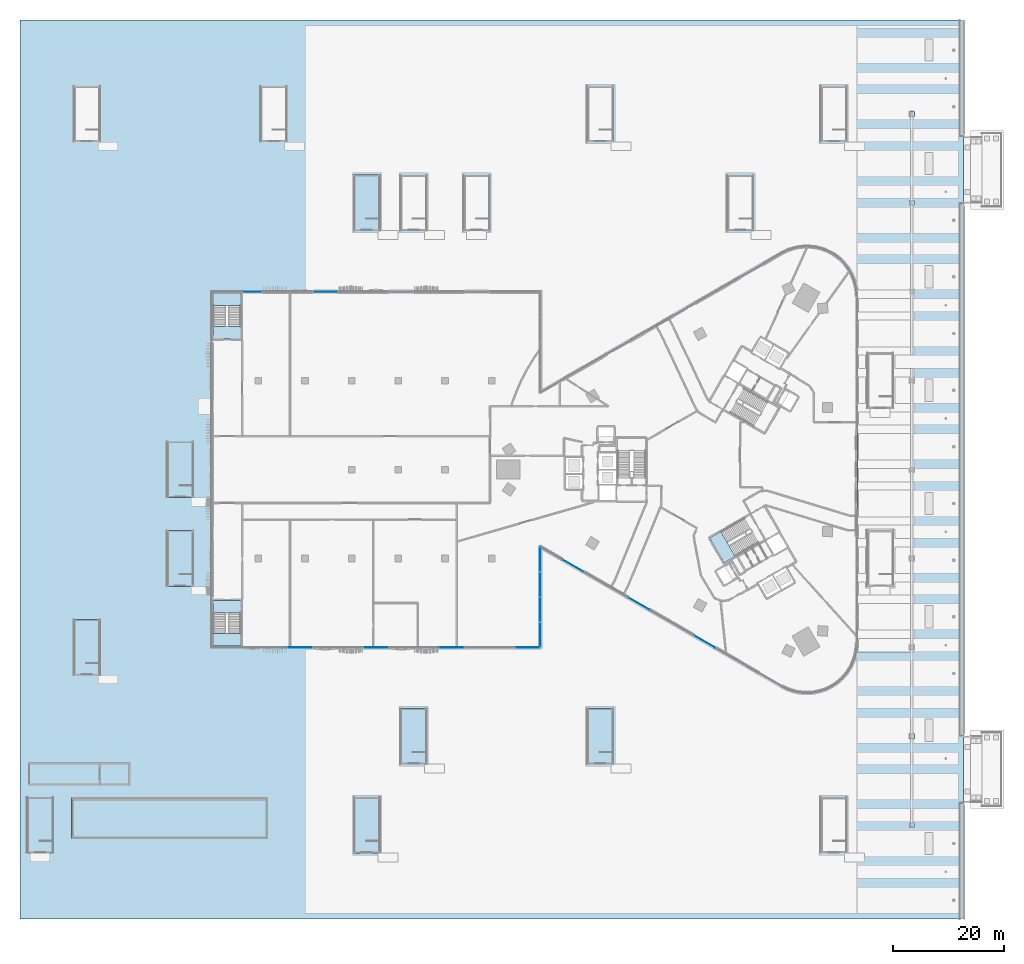
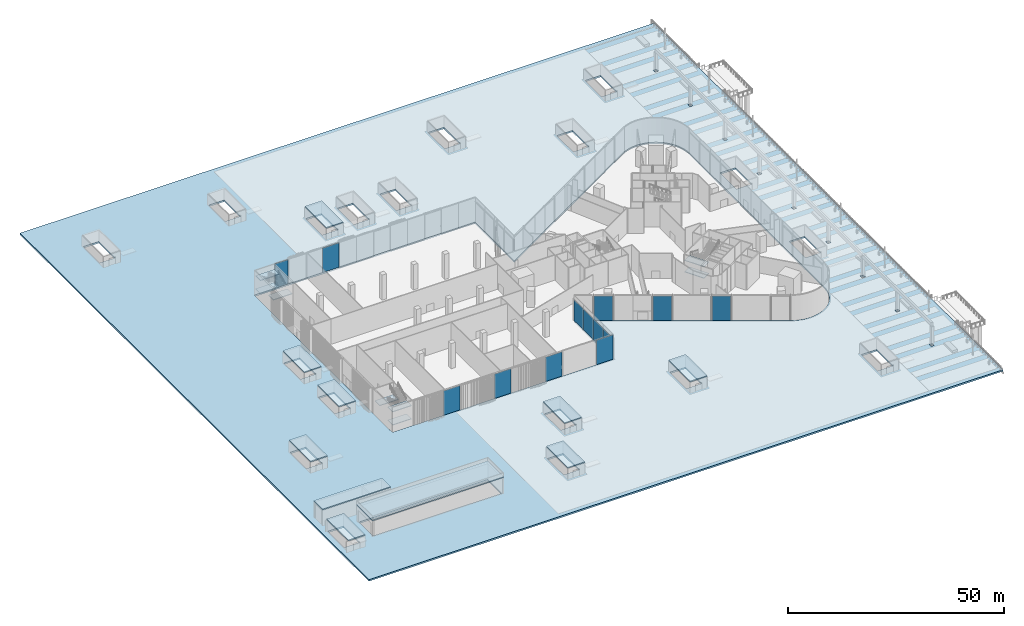
# One storey, part 9 of 41: 19 slabs, 13 plates, 6 elements without a shape of their own.
"""IFC4 building model written with IfcOpenShell, lengths in metres."""

import ifcopenshell
import ifcopenshell.guid

model = None  # the IFC model being written
_history = None  # IfcOwnerHistory: only IFC2X3 demands one
_inside = {}  # id of a spatial element -> (the spatial element, [elements in it])
_under = {}  # id of a project, library or spatial element -> (it, [spatial elements below it])
_declared = {}  # id of a project -> (the project, [libraries it declares])
_typed = {}  # id of a type object -> (the type object, [elements of that type])
_made_of = {}  # id of a material, layer set ... -> (it, [elements and type objects made of it])


def new_model(schema):
    """Start an empty IFC model of exactly this schema.

    Asked for "IFC4X3", IfcOpenShell would pick the latest addendum, in which some entities
    have other attributes; the version numbers below select the first issue.
    IFC2X3 requires an IfcOwnerHistory on every rooted entity: one is made here for all.
    """
    global model, _history
    if schema == "IFC4X3":
        model = ifcopenshell.file(schema_version=(4, 3, 0, 0))
    else:
        model = ifcopenshell.file(schema=schema)
    _inside.clear()
    _under.clear()
    _declared.clear()
    _typed.clear()
    _made_of.clear()
    _history = None
    if model.schema == "IFC2X3":
        org = make("IfcOrganization", Name="unknown")
        user = make(
            "IfcPersonAndOrganization",
            ThePerson=make("IfcPerson", FamilyName="unknown"),
            TheOrganization=org,
        )
        app = make(
            "IfcApplication",
            ApplicationDeveloper=org,
            Version="unknown",
            ApplicationFullName="unknown",
            ApplicationIdentifier="unknown",
        )
        _history = make(
            "IfcOwnerHistory",
            OwningUser=user,
            OwningApplication=app,
            ChangeAction="ADDED",
            CreationDate=0,
        )
    return model


def make(cls, **values):
    """One entity of the class cls with the attributes given. An attribute that is None is left unset."""
    return model.create_entity(
        cls, **{name: value for name, value in values.items() if value is not None}
    )


def rooted(cls, **values):
    """An entity with a GlobalId (a new one), such as an element, a storey or a relation."""
    return make(cls, GlobalId=ifcopenshell.guid.new(), OwnerHistory=_history, **values)


def si_unit(unit_type, name, prefix=None):
    """IfcSIUnit, for example si_unit("LENGTHUNIT", "METRE", prefix="MILLI")."""
    return make("IfcSIUnit", UnitType=unit_type, Prefix=prefix, Name=name)


def assignment(units):
    """IfcUnitAssignment: the units of a project."""
    return None if units is None else make("IfcUnitAssignment", Units=units)


def point(xyz):
    """IfcCartesianPoint."""
    return None if xyz is None else make("IfcCartesianPoint", Coordinates=xyz)


def direction(xyz):
    """IfcDirection."""
    return None if xyz is None else make("IfcDirection", DirectionRatios=xyz)


def frame(location, z_axis=None, x_axis=None):
    """IfcAxis2Placement3D, a coordinate frame: its origin and axes. An axis left out is left unset."""
    return make(
        "IfcAxis2Placement3D",
        Location=point(location),
        Axis=direction(z_axis),
        RefDirection=direction(x_axis),
    )


def frame_2d(location, x_axis=None):
    """IfcAxis2Placement2D, a coordinate frame in the plane: its origin and x axis."""
    return make(
        "IfcAxis2Placement2D", Location=point(location), RefDirection=direction(x_axis)
    )


def origin():
    """The frame at (0, 0, 0) with its axes left unset."""
    return frame((0.0, 0.0, 0.0))


def origin_2d():
    """The frame at (0, 0) in the plane with its x axis left unset."""
    return frame_2d((0.0, 0.0))


def place(relative_to, where):
    """IfcLocalPlacement: puts the frame where relative to a parent placement (None: the world)."""
    return make(
        "IfcLocalPlacement", PlacementRelTo=relative_to, RelativePlacement=where
    )


def context(
    kind, dimensions, precision=None, world=None, true_north=None, identifier=None
):
    """IfcGeometricRepresentationContext, for example the 3D "Model" context."""
    return make(
        "IfcGeometricRepresentationContext",
        ContextIdentifier=identifier,
        ContextType=kind,
        CoordinateSpaceDimension=dimensions,
        Precision=precision,
        WorldCoordinateSystem=world,
        TrueNorth=true_north,
    )


def subcontext(parent, identifier, kind, view, scale=None):
    """IfcGeometricRepresentationSubContext, for example "Body" below "Model"."""
    return make(
        "IfcGeometricRepresentationSubContext",
        ContextIdentifier=identifier,
        ContextType=kind,
        ParentContext=parent,
        TargetScale=scale,
        TargetView=view,
    )


def project(units=None, contexts=None):
    """IfcProject with its units and contexts."""
    return rooted(
        "IfcProject",
        Name="project",
        RepresentationContexts=contexts,
        UnitsInContext=assignment(units),
    )


def spatial(cls, under=None, at=None, **own):
    """A site, building, storey or space (cls), placed at a placement, below another one or the project."""
    s = rooted(cls, ObjectPlacement=at, **own)
    if under is not None:
        _under.setdefault(under.id(), (under, []))[1].append(s)
    return s


def polyline(points):
    """IfcPolyline through the points."""
    return make("IfcPolyline", Points=[point(p) for p in points])


def profile(cls, at=None, kind="AREA", **sizes):
    """A parametric profile (cls). Its sizes go by their IFC names, for example OverallWidth=200.0."""
    return make(cls, ProfileType=kind, Position=at, **sizes)


def rectangle(**sizes):
    """IfcRectangleProfileDef."""
    return profile("IfcRectangleProfileDef", **sizes)


def outline(outer, holes=None, kind="AREA"):
    """IfcArbitraryClosedProfileDef: a profile drawn as a closed curve; with holes, ...WithVoids."""
    if holes is None:
        return make("IfcArbitraryClosedProfileDef", ProfileType=kind, OuterCurve=outer)
    return make(
        "IfcArbitraryProfileDefWithVoids",
        ProfileType=kind,
        OuterCurve=outer,
        InnerCurves=holes,
    )


def extrude(swept, where, along, depth):
    """IfcExtrudedAreaSolid: the profile swept, set in the frame where, extruded along a direction by depth."""
    return make(
        "IfcExtrudedAreaSolid",
        SweptArea=swept,
        Position=where,
        ExtrudedDirection=direction(along),
        Depth=depth,
    )


def shape(context_of_items, identifier, shape_type, items):
    """IfcShapeRepresentation: the items that make up one representation, for example the "Body"."""
    return make(
        "IfcShapeRepresentation",
        ContextOfItems=context_of_items,
        RepresentationIdentifier=identifier,
        RepresentationType=shape_type,
        Items=items,
    )


def material(Name=None, Category=None):
    """IfcMaterial."""
    return make("IfcMaterial", Name=Name, Category=Category)


def layer(
    of_material, thickness, ventilated=None, Name=None, Category=None, Priority=None
):
    """IfcMaterialLayer: one layer of a wall or slab, of a material (None: an air gap)."""
    return make(
        "IfcMaterialLayer",
        Material=of_material,
        LayerThickness=thickness,
        IsVentilated=ventilated,
        Name=Name,
        Category=Category,
        Priority=Priority,
    )


def layer_set(layers, Name=None):
    """IfcMaterialLayerSet."""
    return make("IfcMaterialLayerSet", MaterialLayers=layers, LayerSetName=Name)


def made_of(thing, what):
    """Note that an element or type object is made of a material, layer set ...; save() writes the relation."""
    if what is not None:
        _made_of.setdefault(what.id(), (what, []))[1].append(thing)
    return thing


def type_object(cls, material=None, **own):
    """A type object (cls), such as IfcWallType, which elements share."""
    return made_of(rooted(cls, **own), material)


def element(
    cls,
    number,
    at=None,
    inside=None,
    cuts=None,
    type_object=None,
    material=None,
    context=None,
    identifier="Body",
    shape_type=None,
    held_by="IfcProductDefinitionShape",
    body=None,
    shapes=None,
    **own,
):
    """One element of the class cls, such as IfcWall. Its Tag is "e" and its number.

    at: its placement. inside: the storey or other place that contains it. cuts: it is an
    opening in that element (IfcRelVoidsElement). A single representation is given by context,
    identifier, shape_type and body (its items); several are given by shapes. held_by: the class
    of the entity that holds the representations. save() writes the other relations.
    """
    e = rooted(cls, Tag="e%d" % number, ObjectPlacement=at, **own)
    if body is not None:
        shapes = [shape(context, identifier, shape_type, body)]
    if shapes is not None:
        e.Representation = make(held_by, Representations=shapes)
    if inside is not None:
        _inside.setdefault(inside.id(), (inside, []))[1].append(e)
    if cuts is not None:
        rooted(
            "IfcRelVoidsElement", RelatingBuildingElement=cuts, RelatedOpeningElement=e
        )
    if type_object is not None:
        _typed.setdefault(type_object.id(), (type_object, []))[1].append(e)
    return made_of(e, material)


def aggregate(whole, parts):
    """IfcRelAggregates: a whole, such as a stair, and the parts it consists of."""
    return rooted("IfcRelAggregates", RelatingObject=whole, RelatedObjects=parts)


def save(model, path):
    """Write the relations noted so far, then the file.

    IfcRelAggregates (storeys below a building ...), IfcRelContainedInSpatialStructure (elements
    in a storey), IfcRelDefinesByType, IfcRelAssociatesMaterial and IfcRelDeclares: one each for
    every whole, place, type object, material and project.
    """
    for whole, parts in _under.values():
        aggregate(whole, parts)
    for where, things in _inside.values():
        rooted(
            "IfcRelContainedInSpatialStructure",
            RelatedElements=things,
            RelatingStructure=where,
        )
    for kind, things in _typed.values():
        rooted("IfcRelDefinesByType", RelatedObjects=things, RelatingType=kind)
    for what, things in _made_of.values():
        rooted("IfcRelAssociatesMaterial", RelatedObjects=things, RelatingMaterial=what)
    for by, libraries in _declared.values():
        rooted("IfcRelDeclares", RelatingContext=by, RelatedDefinitions=libraries)
    model.write(path)


model = new_model("IFC4")

# Units and contexts
model_context = context("Model", 3, precision=1e-05, world=origin(), true_north=direction((0.0, 1.0)))
body_context = subcontext(model_context, "Body", "Model", "MODEL_VIEW")
ifc_project = project(units=[si_unit("LENGTHUNIT", "METRE"), si_unit("AREAUNIT", "SQUARE_METRE"), si_unit("VOLUMEUNIT", "CUBIC_METRE"), si_unit("PLANEANGLEUNIT", "RADIAN"), si_unit("MASSUNIT", "GRAM", prefix="KILO")], contexts=[model_context])

# Site, building, storey
site_placement = place(None, origin())
site = spatial("IfcSite", under=ifc_project, at=site_placement, CompositionType="ELEMENT")
building_placement = place(site_placement, origin())
building = spatial("IfcBuilding", under=site, at=building_placement, Name="Tamra Quay Hotel Tower", CompositionType="ELEMENT")
storey_placement = place(building_placement, origin())
storey = spatial("IfcBuildingStorey", under=building, at=storey_placement, Name="L00", CompositionType="ELEMENT", Elevation=0.0)

# Slabs
ifc_material_1 = material(Name="Concrete M60", Category="concrete")
ifc_layer_1 = layer(ifc_material_1, 0.300048828125)
ifc_layer_set_1 = layer_set([ifc_layer_1], Name="Concrete M60 ramp hall roof slab 300")
slab_type_1 = type_object("IfcSlabType", Name="Concrete M60 ramp hall roof slab 300", PredefinedType="ROOF", material=ifc_layer_set_1)
slab_1_placement = place(storey_placement, frame((0.0, 0.0, 3.199951171875)))
element("IfcSlab", 1, at=slab_1_placement, inside=storey, type_object=slab_type_1, Name="Exit stair BS1 roof", PredefinedType="ROOF", context=body_context, shape_type="SweptSolid", body=[
    extrude(outline(polyline([(-109.300048828125, -37.0), (-109.300048828125, -27.0), (-113.85009765625, -27.0), (-113.85009765625, -37.0), (-109.300048828125, -37.0)])), origin(), (0.0, 0.0, 1.0), 0.300048828125),
])
slab_2_placement = place(storey_placement, frame((0.0, 0.0, 3.199951171875)))
element("IfcSlab", 2, at=slab_2_placement, inside=storey, type_object=slab_type_1, Name="Exit stair BS3 roof", PredefinedType="ROOF", context=body_context, shape_type="SweptSolid", body=[
    extrude(outline(polyline([(-92.5, -21.0), (-92.5, -11.0), (-97.050048828125, -11.0), (-97.050048828125, -21.0), (-92.5, -21.0)])), origin(), (0.0, 0.0, 1.0), 0.300048828125),
])
slab_3_placement = place(storey_placement, frame((0.0, 0.0, 3.199951171875)))
element("IfcSlab", 3, at=slab_3_placement, inside=storey, type_object=slab_type_1, Name="Exit stair BS4 roof", PredefinedType="ROOF", context=body_context, shape_type="SweptSolid", body=[
    extrude(outline(polyline([(-92.5, -5.0), (-92.5, 5.0), (-97.050048828125, 5.0), (-97.050048828125, -5.0), (-92.5, -5.0)])), origin(), (0.0, 0.0, 1.0), 0.300048828125),
])
slab_4_placement = place(storey_placement, frame((0.0, 0.0, 3.199951171875)))
element("IfcSlab", 4, at=slab_4_placement, inside=storey, type_object=slab_type_1, Name="Exit stair BS6 roof", PredefinedType="ROOF", context=body_context, shape_type="SweptSolid", body=[
    extrude(outline(polyline([(-58.89990234375, -69.0), (-58.89990234375, -59.0), (-63.449951171875, -59.0), (-63.449951171875, -69.0), (-58.89990234375, -69.0)])), origin(), (0.0, 0.0, 1.0), 0.300048828125),
])
slab_5_placement = place(storey_placement, frame((0.0, 0.0, 3.199951171875)))
element("IfcSlab", 5, at=slab_5_placement, inside=storey, type_object=slab_type_1, Name="Exit stair BS7 roof", PredefinedType="ROOF", context=body_context, shape_type="SweptSolid", body=[
    extrude(outline(polyline([(-58.89990234375, 43.0), (-58.89990234375, 53.0), (-63.449951171875, 53.0), (-63.449951171875, 43.0), (-58.89990234375, 43.0)])), origin(), (0.0, 0.0, 1.0), 0.300048828125),
])
slab_6_placement = place(storey_placement, frame((0.0, 0.0, 3.199951171875)))
element("IfcSlab", 6, at=slab_6_placement, inside=storey, type_object=slab_type_1, Name="Exit stair BS8 roof", PredefinedType="ROOF", context=body_context, shape_type="SweptSolid", body=[
    extrude(outline(polyline([(-50.5, -53.0), (-50.5, -43.0), (-55.050048828125, -43.0), (-55.050048828125, -53.0), (-50.5, -53.0)])), origin(), (0.0, 0.0, 1.0), 0.300048828125),
])
slab_7_placement = place(storey_placement, frame((0.0, 0.0, 3.199951171875)))
element("IfcSlab", 7, at=slab_7_placement, inside=storey, type_object=slab_type_1, Name="Exit stair BS10 roof", PredefinedType="ROOF", context=body_context, shape_type="SweptSolid", body=[
    extrude(outline(polyline([(-16.89990234375, -53.0), (-16.89990234375, -43.0), (-21.449951171875, -43.0), (-21.449951171875, -53.0), (-16.89990234375, -53.0)])), origin(), (0.0, 0.0, 1.0), 0.300048828125),
])
slab_8_placement = place(storey_placement, frame((0.0, 0.0, 3.199951171875)))
element("IfcSlab", 8, at=slab_8_placement, inside=storey, type_object=slab_type_1, Name="Exit stair BS18 roof", PredefinedType="ROOF", context=body_context, shape_type="SweptSolid", body=[
    extrude(outline(polyline([(-117.699951171875, -69.0), (-117.699951171875, -59.0), (-122.25, -59.0), (-122.25, -69.0), (-117.699951171875, -69.0)])), origin(), (0.0, 0.0, 1.0), 0.300048828125),
])
slab_9_placement = place(storey_placement, frame((0.0, 0.0, 4.5)))
element("IfcSlab", 9, at=slab_9_placement, inside=storey, type_object=slab_type_1, Name="Vehicle ramp hall roof", PredefinedType="ROOF", context=body_context, shape_type="SweptSolid", body=[
    extrude(outline(polyline([(-79.047119140625, -66.39990234375), (-79.047119140625, -59.0), (-114.300048828125, -59.0), (-114.300048828125, -66.39990234375), (-79.047119140625, -66.39990234375)])), origin(), (0.0, 0.0, 1.0), 0.300048828125),
])
slab_10_placement = place(storey_placement, frame((0.0, 0.0, 4.5)))
element("IfcSlab", 10, at=slab_10_placement, inside=storey, type_object=slab_type_1, Name="Loading bay roof", PredefinedType="ROOF", context=body_context, shape_type="SweptSolid", body=[
    extrude(outline(polyline([(-103.800048828125, -56.800048828125), (-103.800048828125, -52.699951171875), (-122.10009765625, -52.699951171875), (-122.10009765625, -56.800048828125), (-103.800048828125, -56.800048828125)])), origin(), (0.0, 0.0, 1.0), 0.300048828125),
])

# Stair, slabs
ifc_material_2 = material(Name="Exit stair 2200 60 risers 125.0 going 305")
stair_type_1 = type_object("IfcStairType", Name="Exit stair 2200 60 risers 125.0 going 305", PredefinedType="HALF_TURN_STAIR", material=ifc_material_2)
stair_1_placement = place(storey_placement, origin())
stair_1 = element("IfcStair", 11, at=stair_1_placement, inside=storey, type_object=stair_type_1, Name="L00 Exit stair ST2", PredefinedType="HALF_TURN_STAIR")
ifc_material_3 = material(Name="Concrete M70", Category="concrete")
ifc_layer_2 = layer(ifc_material_3, 0.175048828125)
ifc_layer_set_2 = layer_set([ifc_layer_2], Name="Concrete M70 stair landing 180")
slab_type_2 = type_object("IfcSlabType", Name="Concrete M70 stair landing 180", PredefinedType="LANDING", material=ifc_layer_set_2)
slab_11_placement = place(storey_placement, frame((0.0, 0.0, 1.949951171875)))
slab_11 = element("IfcSlab", 12, at=slab_11_placement, type_object=slab_type_2, Name="ST2 landing 1", PredefinedType="LANDING", context=body_context, shape_type="SweptSolid", body=[
    extrude(outline(polyline([(2.5390625, -11.157470703125), (0.547119140625, -12.3076171875), (3.126708984375, -16.775390625), (5.11865234375, -15.62548828125), (2.5390625, -11.157470703125)])), origin(), (0.0, 0.0, 1.0), 0.175048828125),
])
slab_12_placement = place(storey_placement, frame((0.0, 0.0, 5.199951171875)))
slab_12 = element("IfcSlab", 13, at=slab_12_placement, type_object=slab_type_2, Name="ST2 landing 3", PredefinedType="LANDING", context=body_context, shape_type="SweptSolid", body=[
    extrude(outline(polyline([(2.5390625, -11.157470703125), (0.547119140625, -12.3076171875), (3.126708984375, -16.775390625), (5.11865234375, -15.62548828125), (2.5390625, -11.157470703125)])), origin(), (0.0, 0.0, 1.0), 0.175048828125),
])
aggregate(stair_1, [slab_11, slab_12])

ifc_material_4 = material(Name="Exit stair 2200 52 risers 144.2 going 313")
stair_type_2 = type_object("IfcStairType", Name="Exit stair 2200 52 risers 144.2 going 313", PredefinedType="HALF_TURN_STAIR", material=ifc_material_4)
stair_2_placement = place(storey_placement, origin())
stair_2 = element("IfcStair", 14, at=stair_2_placement, inside=storey, type_object=stair_type_2, Name="L00 Exit stair PS1", PredefinedType="HALF_TURN_STAIR")
slab_13_placement = place(storey_placement, frame((0.0, 0.0, 1.699951171875)))
slab_13 = element("IfcSlab", 15, at=slab_13_placement, type_object=slab_type_2, Name="PS1 landing 1", PredefinedType="LANDING", context=body_context, shape_type="SweptSolid", body=[
    extrude(outline(polyline([(-83.820068359375, 29.506103515625), (-83.820068359375, 31.780029296875), (-88.8798828125, 31.780029296875), (-88.8798828125, 29.506103515625), (-83.820068359375, 29.506103515625)])), origin(), (0.0, 0.0, 1.0), 0.175048828125),
])
slab_14_placement = place(storey_placement, frame((0.0, 0.0, 3.574951171875)))
slab_14 = element("IfcSlab", 16, at=slab_14_placement, type_object=slab_type_2, Name="PS1 landing 2", PredefinedType="LANDING", context=body_context, shape_type="SweptSolid", body=[
    extrude(outline(polyline([(-83.820068359375, 23.52001953125), (-83.820068359375, 25.7900390625), (-88.8798828125, 25.7900390625), (-88.8798828125, 23.52001953125), (-83.820068359375, 23.52001953125)])), origin(), (0.0, 0.0, 1.0), 0.175048828125),
])
slab_15_placement = place(storey_placement, frame((0.0, 0.0, 5.449951171875)))
slab_15 = element("IfcSlab", 17, at=slab_15_placement, type_object=slab_type_2, Name="PS1 landing 3", PredefinedType="LANDING", context=body_context, shape_type="SweptSolid", body=[
    extrude(outline(polyline([(-83.820068359375, 29.506103515625), (-83.820068359375, 31.780029296875), (-88.8798828125, 31.780029296875), (-88.8798828125, 29.506103515625), (-83.820068359375, 29.506103515625)])), origin(), (0.0, 0.0, 1.0), 0.175048828125),
])
aggregate(stair_2, [slab_13, slab_14, slab_15])

stair_3_placement = place(storey_placement, origin())
stair_3 = element("IfcStair", 18, at=stair_3_placement, inside=storey, type_object=stair_type_2, Name="L00 Exit stair PS2", PredefinedType="HALF_TURN_STAIR")
slab_16_placement = place(storey_placement, frame((0.0, 0.0, 1.699951171875)))
slab_16 = element("IfcSlab", 19, at=slab_16_placement, type_object=slab_type_2, Name="PS2 landing 1", PredefinedType="LANDING", context=body_context, shape_type="SweptSolid", body=[
    extrude(outline(polyline([(-88.8798828125, -29.506103515625), (-88.8798828125, -31.780029296875), (-83.820068359375, -31.780029296875), (-83.820068359375, -29.506103515625), (-88.8798828125, -29.506103515625)])), origin(), (0.0, 0.0, 1.0), 0.175048828125),
])
slab_17_placement = place(storey_placement, frame((0.0, 0.0, 3.574951171875)))
slab_17 = element("IfcSlab", 20, at=slab_17_placement, type_object=slab_type_2, Name="PS2 landing 2", PredefinedType="LANDING", context=body_context, shape_type="SweptSolid", body=[
    extrude(outline(polyline([(-88.8798828125, -23.52001953125), (-88.8798828125, -25.7900390625), (-83.820068359375, -25.7900390625), (-83.820068359375, -23.52001953125), (-88.8798828125, -23.52001953125)])), origin(), (0.0, 0.0, 1.0), 0.175048828125),
])
slab_18_placement = place(storey_placement, frame((0.0, 0.0, 5.449951171875)))
slab_18 = element("IfcSlab", 21, at=slab_18_placement, type_object=slab_type_2, Name="PS2 landing 3", PredefinedType="LANDING", context=body_context, shape_type="SweptSolid", body=[
    extrude(outline(polyline([(-88.8798828125, -29.506103515625), (-88.8798828125, -31.780029296875), (-83.820068359375, -31.780029296875), (-83.820068359375, -29.506103515625), (-88.8798828125, -29.506103515625)])), origin(), (0.0, 0.0, 1.0), 0.175048828125),
])
aggregate(stair_3, [slab_16, slab_17, slab_18])

# Curtain wall, plates
ifc_material_5 = material(Name="Aluminium 6063 anodised dark grey", Category="aluminium")
curtain_wall_type = type_object("IfcCurtainWallType", Name="CW4 CURTAIN WALL", PredefinedType="NOTDEFINED", material=ifc_material_5)
curtain_wall_1_placement = place(storey_placement, origin())
curtain_wall_1 = element("IfcCurtainWall", 22, at=curtain_wall_1_placement, inside=storey, type_object=curtain_wall_type, Name="CW4 east face L00", PredefinedType="NOTDEFINED")
ifc_material_6 = material(Name="Glass clear laminated low-iron", Category="glass")
ifc_layer_3 = layer(ifc_material_6, 0.0400390625)
ifc_layer_set_3 = layer_set([ifc_layer_3], Name="GLASS PANEL CW4")
plate_type = type_object("IfcPlateType", Name="GLASS PANEL CW4", PredefinedType="CURTAIN_PANEL", material=ifc_layer_set_3)
plate_1_placement = place(storey_placement, frame((-30.0, -29.73193359375, 0.0), z_axis=(0.0, 0.0, 1.0), x_axis=(0.0, 1.0, 0.0)))
plate_1 = element("IfcPlate", 23, at=plate_1_placement, type_object=plate_type, Name="CW4 glass L00.E.1", PredefinedType="CURTAIN_PANEL", context=body_context, shape_type="SweptSolid", body=[
    extrude(rectangle(XDim=4.416015625, YDim=0.0400390625, at=origin_2d()), origin(), (0.0, 0.0, 1.0), 5.919921875),
])
plate_2_placement = place(storey_placement, frame((-30.0, -25.196044921875, 0.0), z_axis=(0.0, 0.0, 1.0), x_axis=(0.0, 1.0, 0.0)))
plate_2 = element("IfcPlate", 24, at=plate_2_placement, type_object=plate_type, Name="CW4 glass L00.E.2", PredefinedType="CURTAIN_PANEL", context=body_context, shape_type="SweptSolid", body=[
    extrude(rectangle(XDim=4.416015625, YDim=0.0400390625, at=origin_2d()), origin(), (0.0, 0.0, 1.0), 5.919921875),
])
plate_3_placement = place(storey_placement, frame((-30.0, -20.66015625, 0.0), z_axis=(0.0, 0.0, 1.0), x_axis=(0.0, 1.0, 0.0)))
plate_3 = element("IfcPlate", 25, at=plate_3_placement, type_object=plate_type, Name="CW4 glass L00.E.3", PredefinedType="CURTAIN_PANEL", context=body_context, shape_type="SweptSolid", body=[
    extrude(rectangle(XDim=4.416015625, YDim=0.0400390625, at=origin_2d()), origin(), (0.0, 0.0, 1.0), 5.919921875),
])
plate_4_placement = place(storey_placement, frame((-30.0, -16.124267578125, 0.0), z_axis=(0.0, 0.0, 1.0), x_axis=(0.0, 1.0, 0.0)))
plate_4 = element("IfcPlate", 26, at=plate_4_placement, type_object=plate_type, Name="CW4 glass L00.E.4", PredefinedType="CURTAIN_PANEL", context=body_context, shape_type="SweptSolid", body=[
    extrude(rectangle(XDim=4.416015625, YDim=0.0400390625, at=origin_2d()), origin(), (0.0, 0.0, 1.0), 5.919921875),
])
aggregate(curtain_wall_1, [plate_1, plate_2, plate_3, plate_4])

curtain_wall_2_placement = place(storey_placement, origin())
curtain_wall_2 = element("IfcCurtainWall", 27, at=curtain_wall_2_placement, inside=storey, type_object=curtain_wall_type, Name="CW4 south-west face L00", PredefinedType="NOTDEFINED")
plate_5_placement = place(storey_placement, frame((-24.068115234375, -17.28125, 0.0), z_axis=(0.0, 0.0, 1.0), x_axis=(0.866025403784, -0.5, 0.0)))
plate_5 = element("IfcPlate", 28, at=plate_5_placement, type_object=plate_type, Name="CW4 glass L00.SW.1", PredefinedType="CURTAIN_PANEL", context=body_context, shape_type="SweptSolid", body=[
    extrude(rectangle(XDim=4.4462890625, YDim=0.0400390625, at=origin_2d()), origin(), (0.0, 0.0, 1.0), 6.919921875),
])
plate_6_placement = place(storey_placement, frame((-12.20458984375, -24.130615234375, 0.0), z_axis=(0.0, 0.0, 1.0), x_axis=(0.866025403784, -0.5, 0.0)))
plate_6 = element("IfcPlate", 29, at=plate_6_placement, type_object=plate_type, Name="CW4 glass L00.SW.2", PredefinedType="CURTAIN_PANEL", context=body_context, shape_type="SweptSolid", body=[
    extrude(rectangle(XDim=4.4462890625, YDim=0.0400390625, at=origin_2d()), origin(), (0.0, 0.0, 1.0), 6.919921875),
])
plate_7_placement = place(storey_placement, frame((-0.3408203125, -30.97998046875, 0.0), z_axis=(0.0, 0.0, 1.0), x_axis=(0.866025403784, -0.5, 0.0)))
plate_7 = element("IfcPlate", 30, at=plate_7_placement, type_object=plate_type, Name="CW4 glass L00.SW.3", PredefinedType="CURTAIN_PANEL", context=body_context, shape_type="SweptSolid", body=[
    extrude(rectangle(XDim=4.4462890625, YDim=0.0400390625, at=origin_2d()), origin(), (0.0, 0.0, 1.0), 6.919921875),
])
plate_8_placement = place(storey_placement, frame((-73.1884765625, -32.0, 0.0), z_axis=(0.0, 0.0, 1.0), x_axis=(1.0, 0.0, 0.0)))
plate_8 = element("IfcPlate", 31, at=plate_8_placement, type_object=plate_type, Name="CW4 glass L00.SW.5", PredefinedType="CURTAIN_PANEL", context=body_context, shape_type="SweptSolid", body=[
    extrude(rectangle(XDim=4.42626953125, YDim=0.0400390625, at=origin_2d()), origin(), (0.0, 0.0, 1.0), 6.919921875),
])
plate_9_placement = place(storey_placement, frame((-59.550048828125, -32.0, 0.0), z_axis=(0.0, 0.0, 1.0), x_axis=(1.0, 0.0, 0.0)))
plate_9 = element("IfcPlate", 32, at=plate_9_placement, type_object=plate_type, Name="CW4 glass L00.SW.6", PredefinedType="CURTAIN_PANEL", context=body_context, shape_type="SweptSolid", body=[
    extrude(rectangle(XDim=4.42626953125, YDim=0.0400390625, at=origin_2d()), origin(), (0.0, 0.0, 1.0), 6.919921875),
])
plate_10_placement = place(storey_placement, frame((-45.91162109375, -32.0, 0.0), z_axis=(0.0, 0.0, 1.0), x_axis=(1.0, 0.0, 0.0)))
plate_10 = element("IfcPlate", 33, at=plate_10_placement, type_object=plate_type, Name="CW4 glass L00.SW.7", PredefinedType="CURTAIN_PANEL", context=body_context, shape_type="SweptSolid", body=[
    extrude(rectangle(XDim=4.42626953125, YDim=0.0400390625, at=origin_2d()), origin(), (0.0, 0.0, 1.0), 6.919921875),
])
plate_11_placement = place(storey_placement, frame((-32.273193359375, -32.0, 0.0), z_axis=(0.0, 0.0, 1.0), x_axis=(1.0, 0.0, 0.0)))
plate_11 = element("IfcPlate", 34, at=plate_11_placement, type_object=plate_type, Name="CW4 glass L00.SW.8", PredefinedType="CURTAIN_PANEL", context=body_context, shape_type="SweptSolid", body=[
    extrude(rectangle(XDim=4.42626953125, YDim=0.0400390625, at=origin_2d()), origin(), (0.0, 0.0, 1.0), 6.919921875),
])
aggregate(curtain_wall_2, [plate_5, plate_6, plate_7, plate_8, plate_9, plate_10, plate_11])

curtain_wall_3_placement = place(storey_placement, origin())
curtain_wall_3 = element("IfcCurtainWall", 35, at=curtain_wall_3_placement, inside=storey, type_object=curtain_wall_type, Name="CW4 north-west face L00", PredefinedType="NOTDEFINED")
plate_12_placement = place(storey_placement, frame((-68.642333984375, 32.0, 0.0), z_axis=(0.0, 0.0, 1.0), x_axis=(-1.0, 0.0, 0.0)))
plate_12 = element("IfcPlate", 36, at=plate_12_placement, type_object=plate_type, Name="CW4 glass L00.NW.7", PredefinedType="CURTAIN_PANEL", context=body_context, shape_type="SweptSolid", body=[
    extrude(rectangle(XDim=4.42626953125, YDim=0.0400390625, at=origin_2d()), origin(), (0.0, 0.0, 1.0), 6.919921875),
])
plate_13_placement = place(storey_placement, frame((-81.803955078125, 32.0, 0.0), z_axis=(0.0, 0.0, 1.0), x_axis=(-1.0, 0.0, 0.0)))
plate_13 = element("IfcPlate", 37, at=plate_13_placement, type_object=plate_type, Name="CW4 glass L00.NW.8", PredefinedType="CURTAIN_PANEL", context=body_context, shape_type="SweptSolid", body=[
    extrude(rectangle(XDim=3.472412109375, YDim=0.0400390625, at=origin_2d()), origin(), (0.0, 0.0, 1.0), 6.919921875),
])
aggregate(curtain_wall_3, [plate_12, plate_13])

# Slab
ifc_layer_4 = layer(ifc_material_1, 0.449951171875)
ifc_layer_set_4 = layer_set([ifc_layer_4], Name="QUAY DECK SLAB 350")
slab_type_3 = type_object("IfcSlabType", Name="QUAY DECK SLAB 350", PredefinedType="ROOF", material=ifc_layer_set_4)
slab_19_placement = place(storey_placement, frame((0.0, 0.0, -0.449951171875)))
element("IfcSlab", 38, at=slab_19_placement, inside=storey, type_object=slab_type_3, Name="SLAB-L00-DECK", PredefinedType="ROOF", context=body_context, shape_type="SweptSolid", body=[
    extrude(outline(polyline([(46.199951171875, 80.89990234375), (46.199951171875, -80.89990234375), (-123.60009765625, -80.89990234375), (-123.60009765625, 80.89990234375), (46.199951171875, 80.89990234375)]), holes=[polyline([(-117.89990234375, -59.199951171875), (-122.050048828125, -59.199951171875), (-122.050048828125, -66.780029296875), (-117.89990234375, -66.780029296875), (-117.89990234375, -59.199951171875)]), polyline([(-59.10009765625, -59.199951171875), (-63.25, -59.199951171875), (-63.25, -66.780029296875), (-59.10009765625, -66.780029296875), (-59.10009765625, -59.199951171875)]), polyline([(-79.447265625, -59.60009765625), (-113.89990234375, -59.60009765625), (-113.89990234375, -66.0), (-79.447265625, -66.0), (-79.447265625, -59.60009765625)]), polyline([(-50.699951171875, -43.199951171875), (-54.85009765625, -43.199951171875), (-54.85009765625, -50.780029296875), (-50.699951171875, -50.780029296875), (-50.699951171875, -43.199951171875)]), polyline([(-109.5, -27.199951171875), (-113.64990234375, -27.199951171875), (-113.64990234375, -34.780029296875), (-109.5, -34.780029296875), (-109.5, -27.199951171875)]), polyline([(-92.699951171875, -11.199951171875), (-96.85009765625, -11.199951171875), (-96.85009765625, -18.780029296875), (-92.699951171875, -18.780029296875), (-92.699951171875, -11.199951171875)]), polyline([(-92.699951171875, 4.800048828125), (-96.85009765625, 4.800048828125), (-96.85009765625, -2.780029296875), (-92.699951171875, -2.780029296875), (-92.699951171875, 4.800048828125)]), polyline([(-59.10009765625, 52.800048828125), (-63.25, 52.800048828125), (-63.25, 45.219970703125), (-59.10009765625, 45.219970703125), (-59.10009765625, 52.800048828125)]), polyline([(-50.699951171875, 52.800048828125), (-54.85009765625, 52.800048828125), (-54.85009765625, 45.219970703125), (-50.699951171875, 45.219970703125), (-50.699951171875, 52.800048828125)]), polyline([(-39.35009765625, 52.800048828125), (-43.5, 52.800048828125), (-43.5, 45.219970703125), (-39.35009765625, 45.219970703125), (-39.35009765625, 52.800048828125)]), polyline([(-75.89990234375, 68.800048828125), (-80.050048828125, 68.800048828125), (-80.050048828125, 61.219970703125), (-75.89990234375, 61.219970703125), (-75.89990234375, 68.800048828125)]), polyline([(-109.5, 68.800048828125), (-113.64990234375, 68.800048828125), (-113.64990234375, 61.219970703125), (-109.5, 61.219970703125), (-109.5, 68.800048828125)]), polyline([(-17.10009765625, -50.780029296875), (-17.10009765625, -43.199951171875), (-21.25, -43.199951171875), (-21.25, -50.780029296875), (-17.10009765625, -50.780029296875)]), polyline([(8.10009765625, 52.800048828125), (3.949951171875, 52.800048828125), (3.949951171875, 45.219970703125), (8.10009765625, 45.219970703125), (8.10009765625, 52.800048828125)]), polyline([(-17.10009765625, 68.800048828125), (-21.25, 68.800048828125), (-21.25, 61.219970703125), (-17.10009765625, 61.219970703125), (-17.10009765625, 68.800048828125)]), polyline([(37.300048828125, -63.60009765625), (36.5, -63.60009765625), (36.5, -64.39990234375), (37.300048828125, -64.39990234375), (37.300048828125, -63.60009765625)]), polyline([(24.89990234375, -59.199951171875), (20.75, -59.199951171875), (20.75, -66.780029296875), (24.89990234375, -66.780029296875), (24.89990234375, -59.199951171875)]), polyline([(37.300048828125, -48.39990234375), (37.300048828125, -47.60009765625), (36.5, -47.60009765625), (36.5, -48.39990234375), (37.300048828125, -48.39990234375)]), polyline([(37.300048828125, -31.60009765625), (36.5, -31.60009765625), (36.5, -32.39990234375), (37.300048828125, -32.39990234375), (37.300048828125, -31.60009765625)]), polyline([(37.300048828125, -15.60009765625), (36.5, -15.60009765625), (36.5, -16.39990234375), (37.300048828125, -16.39990234375), (37.300048828125, -15.60009765625)]), polyline([(33.300048828125, -11.199951171875), (29.14990234375, -11.199951171875), (29.14990234375, -18.780029296875), (33.300048828125, -18.780029296875), (33.300048828125, -11.199951171875)]), polyline([(37.300048828125, -0.39990234375), (37.300048828125, 0.39990234375), (36.5, 0.39990234375), (36.5, -0.39990234375), (37.300048828125, -0.39990234375)]), polyline([(37.300048828125, 16.39990234375), (36.5, 16.39990234375), (36.5, 15.60009765625), (37.300048828125, 15.60009765625), (37.300048828125, 16.39990234375)]), polyline([(33.300048828125, 20.800048828125), (29.14990234375, 20.800048828125), (29.14990234375, 13.219970703125), (33.300048828125, 13.219970703125), (33.300048828125, 20.800048828125)]), polyline([(37.300048828125, 32.39990234375), (36.5, 32.39990234375), (36.5, 31.60009765625), (37.300048828125, 31.60009765625), (37.300048828125, 32.39990234375)]), polyline([(37.300048828125, 48.39990234375), (36.5, 48.39990234375), (36.5, 47.60009765625), (37.300048828125, 47.60009765625), (37.300048828125, 48.39990234375)]), polyline([(37.300048828125, 63.60009765625), (37.300048828125, 64.39990234375), (36.5, 64.39990234375), (36.5, 63.60009765625), (37.300048828125, 63.60009765625)]), polyline([(24.89990234375, 61.219970703125), (24.89990234375, 68.800048828125), (20.75, 68.800048828125), (20.75, 61.219970703125), (24.89990234375, 61.219970703125)]), polyline([(13.5, -38.97119140625), (14.019287109375, -39.248779296875), (14.555908203125, -39.49169921875), (15.10693359375, -39.69921875), (15.670654296875, -39.8701171875), (16.244140625, -40.00390625), (16.8251953125, -40.099853515625), (17.411376953125, -40.15771484375), (18.0, -40.177001953125), (18.588623046875, -40.15771484375), (19.1748046875, -40.099853515625), (19.755859375, -40.00390625), (20.329345703125, -39.8701171875), (20.89306640625, -39.69921875), (21.444091796875, -39.49169921875), (21.980712890625, -39.248779296875), (22.5, -38.97119140625), (23.0, -38.66015625), (23.47900390625, -38.317138671875), (23.93408203125, -37.943603515625), (24.364013671875, -37.541015625), (24.7666015625, -37.111083984375), (25.14013671875, -36.65576171875), (25.483154296875, -36.177001953125), (25.794189453125, -35.677001953125), (26.072021484375, -35.157470703125), (26.31494140625, -34.62109375), (26.5224609375, -34.06982421875), (26.693359375, -33.50634765625), (26.8271484375, -32.9326171875), (26.923095703125, -32.351806640625), (26.980712890625, -31.765380859375), (27.0, -31.177001953125), (27.0, 31.177001953125), (26.980712890625, 31.765380859375), (26.923095703125, 32.351806640625), (26.8271484375, 32.9326171875), (26.693359375, 33.50634765625), (26.5224609375, 34.06982421875), (26.31494140625, 34.62109375), (26.072021484375, 35.157470703125), (25.794189453125, 35.677001953125), (25.483154296875, 36.177001953125), (25.14013671875, 36.65576171875), (24.7666015625, 37.111083984375), (24.364013671875, 37.541015625), (23.93408203125, 37.943603515625), (23.47900390625, 38.317138671875), (23.0, 38.66015625), (22.5, 38.97119140625), (21.980712890625, 39.248779296875), (21.444091796875, 39.49169921875), (20.89306640625, 39.69921875), (20.329345703125, 39.8701171875), (19.755859375, 40.00390625), (19.1748046875, 40.099853515625), (18.588623046875, 40.15771484375), (18.0, 40.177001953125), (17.411376953125, 40.15771484375), (16.8251953125, 40.099853515625), (16.244140625, 40.00390625), (15.670654296875, 39.8701171875), (15.10693359375, 39.69921875), (14.555908203125, 39.49169921875), (14.019287109375, 39.248779296875), (13.5, 38.97119140625), (-30.0, 13.8564453125), (-30.0, 32.0), (-89.10009765625, 32.0), (-89.10009765625, -32.0), (-30.0, -32.0), (-30.0, -13.8564453125), (13.5, -38.97119140625)])]), origin(), (0.0, 0.0, 1.0), 0.449951171875),
])

save(model, "model.ifc")
